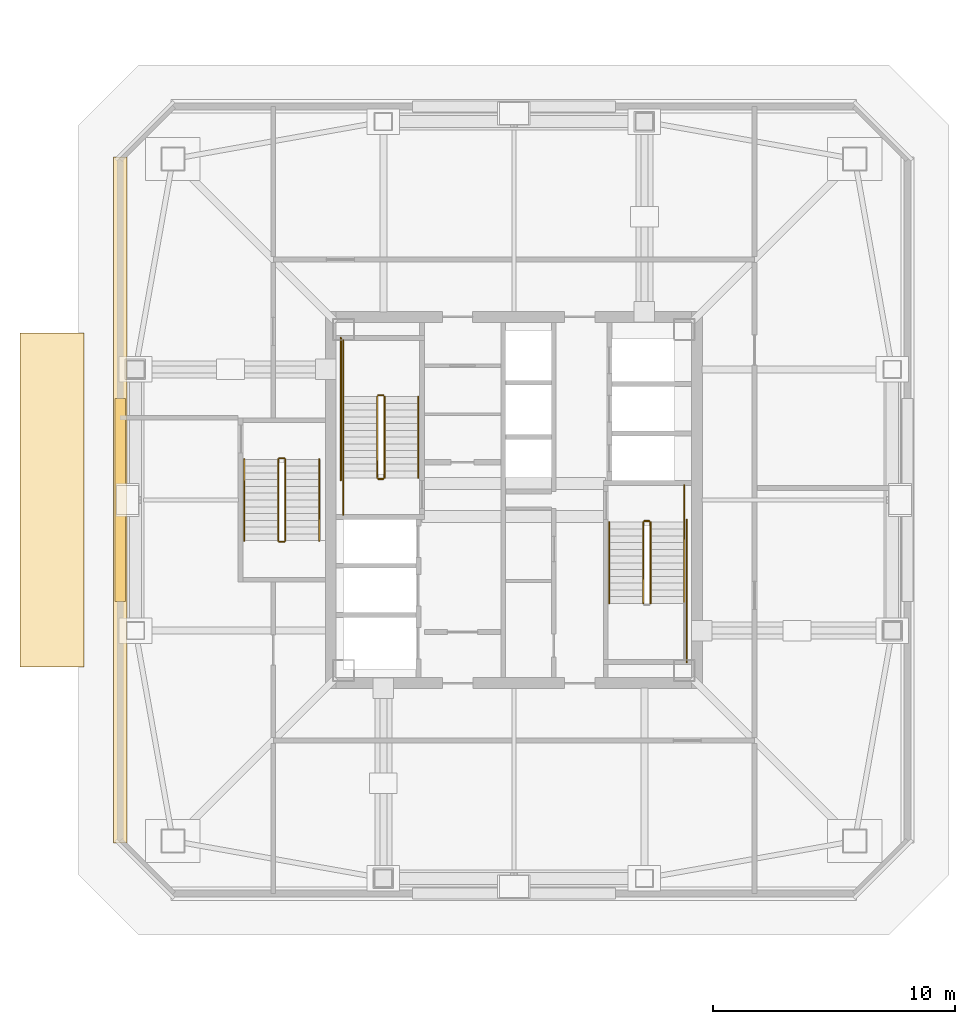
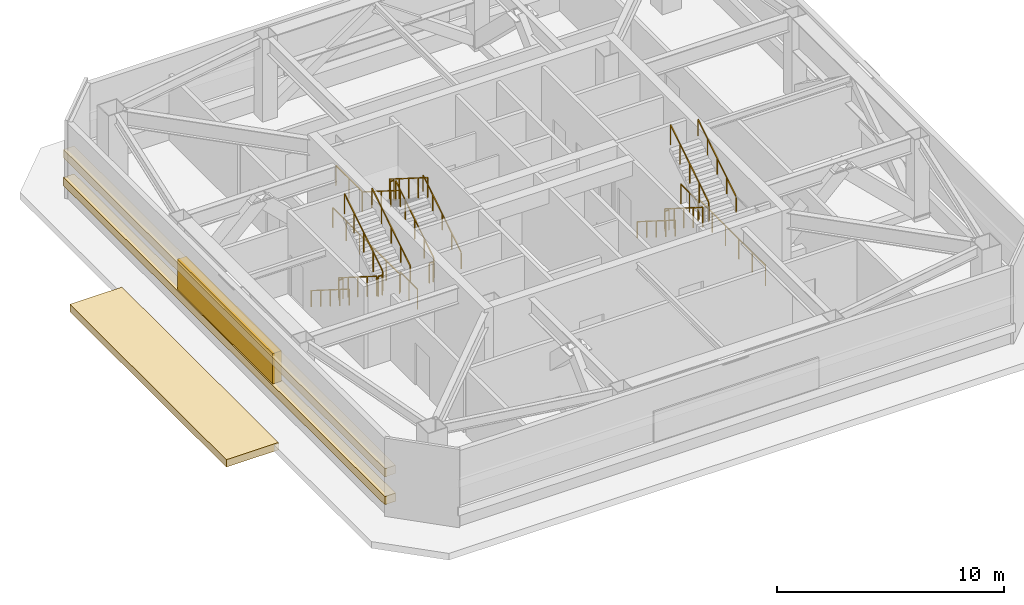
# One storey, part 11 of 15: 22 railings, 3 coverings, 1 shading device.
"""IFC4 building model written with IfcOpenShell, lengths in metres."""

from ifc_helpers import new_model, si_unit, direction, frame, origin, origin_2d, place, context, subcontext, project, spatial, rectangle, extrude, material, layer, layer_set, type_object, element, save


model = new_model("IFC4")

# Units and contexts
model_context = context("Model", 3, precision=1e-05, world=origin(), true_north=direction((0.0, 1.0)))
body_context = subcontext(model_context, "Body", "Model", "MODEL_VIEW")
ifc_project = project(units=[si_unit("LENGTHUNIT", "METRE"), si_unit("AREAUNIT", "SQUARE_METRE"), si_unit("VOLUMEUNIT", "CUBIC_METRE"), si_unit("PLANEANGLEUNIT", "RADIAN"), si_unit("MASSUNIT", "GRAM", prefix="KILO")], contexts=[model_context])

# Site, building, storey
site_placement = place(None, origin())
site = spatial("IfcSite", under=ifc_project, at=site_placement, CompositionType="ELEMENT")
building_placement = place(site_placement, origin())
building = spatial("IfcBuilding", under=site, at=building_placement, Name="Tashvorn Skyway Center", CompositionType="ELEMENT")
storey_placement = place(building_placement, frame((0.0, 0.0, 199.60009765625)))
storey = spatial("IfcBuildingStorey", under=building, at=storey_placement, Name="L54", CompositionType="ELEMENT", Elevation=199.60009765625)

# Coverings
ifc_material_1 = material(Name="Perforated ceramic-coated bronze aluminium solar screen", Category="aluminium")
ifc_layer_1 = layer(ifc_material_1, 0.85009765625)
ifc_layer_set_1 = layer_set([ifc_layer_1], Name="Perforated ceramic-coated bronze aluminium solar screen")
covering_type_1 = type_object("IfcCoveringType", Name="COV-SOLAR-BAND", PredefinedType="CLADDING", material=ifc_layer_set_1)
for number, where, z_axis, x_axis, name in (
    (1, (25.719970703125, 32.0, 1.030029296875), (0.0, 0.0, 1.0), (0.0, 1.0, 0.0), "Tower 1 L54 West Belt Acoustic Louvre Band 1"),
    (2, (25.719970703125, 32.0, 2.530029296875), (0.0, 0.0, 1.0), (0.0, 1.0, 0.0), "Tower 1 L54 West Belt Acoustic Louvre Band 2"),
):
    element("IfcCovering", number, at=place(storey_placement, frame(where, z_axis=z_axis, x_axis=x_axis)), inside=storey, type_object=covering_type_1, Name=name, PredefinedType="CLADDING", context=body_context, shape_type="SweptSolid", body=[
        extrude(rectangle(XDim=28.360107421875, YDim=0.550048828125, at=origin_2d()), origin(), (0.0, 0.0, 1.0), 0.43994140625),
    ])
ifc_material_2 = material(Name="Precast concrete C40/50", Category="concrete")
ifc_layer_2 = layer(ifc_material_2, 0.35009765625)
ifc_layer_set_2 = layer_set([ifc_layer_2], Name="Precast concrete C40/50")
covering_type_2 = type_object("IfcCoveringType", Name="COV-STONE-TRIM", PredefinedType="CLADDING", material=ifc_layer_set_2)
covering_placement = place(storey_placement, frame((22.89990234375, 32.0, 0.0), z_axis=(0.0, 0.0, 1.0), x_axis=(0.0, 1.0, 0.0)))
element("IfcCovering", 3, at=covering_placement, inside=storey, type_object=covering_type_2, Name="Tower 1 L53 Sky Garden Terracotta Canopy Hood", PredefinedType="CLADDING", context=body_context, shape_type="SweptSolid", body=[
    extrude(rectangle(XDim=13.800048828125, YDim=2.64990234375, at=origin_2d()), origin(), (0.0, 0.0, 1.0), 0.39990234375),
])

# Railings
ifc_material_3 = material(Name="Brushed stainless steel 316", Category="steel")
railing_type_1 = type_object("IfcRailingType", Name="RAIL-HAND-920", PredefinedType="HANDRAIL", material=ifc_material_3)
railing_1_placement = place(storey_placement, frame((38.050048828125, 32.919921875, 0.1767578125)))
element("IfcRailing", 4, at=railing_1_placement, inside=storey, type_object=railing_type_1, Name="L54 ST-T1-1 stair handrail 1", PredefinedType="HANDRAIL", context=body_context, shape_type="SweptSolid", body=[
    extrude(rectangle(XDim=0.048095703125, YDim=0.048095703125, at=origin_2d()), frame((0.0, 0.0, 0.8759765625), z_axis=(0.0, 0.845389635667, 0.534150132366), x_axis=(-1.0, 0.0, 0.0)), (0.0, 0.0, 1.0), 3.974609375),
    extrude(rectangle(XDim=0.0419921875, YDim=0.0419921875, at=origin_2d()), origin(), (0.0, 0.0, 1.0), 0.851806640625),
    extrude(rectangle(XDim=0.0419921875, YDim=0.0419921875, at=origin_2d()), frame((0.0, 0.840087890625, 0.53076171875)), (0.0, 0.0, 1.0), 0.851806640625),
    extrude(rectangle(XDim=0.0419921875, YDim=0.0419921875, at=origin_2d()), frame((0.0, 1.68017578125, 1.0615234375)), (0.0, 0.0, 1.0), 0.851806640625),
    extrude(rectangle(XDim=0.0419921875, YDim=0.0419921875, at=origin_2d()), frame((0.0, 2.52001953125, 1.59228515625)), (0.0, 0.0, 1.0), 0.851806640625),
    extrude(rectangle(XDim=0.0419921875, YDim=0.0419921875, at=origin_2d()), frame((0.0, 3.360107421875, 2.123046875)), (0.0, 0.0, 1.0), 0.851806640625),
])
for number, where, name in (
    (5, (34.949951171875, 36.280029296875, 2.476806640625), "L54 ST-T1-1 stair handrail 2"),
    (6, (45.949951171875, 31.080078125, 0.1767578125), "L54 ST-T1-2 stair handrail 1"),
):
    element("IfcRailing", number, at=place(storey_placement, frame(where)), inside=storey, type_object=railing_type_1, Name=name, PredefinedType="HANDRAIL", context=body_context, shape_type="SweptSolid", body=[
        extrude(rectangle(XDim=0.048095703125, YDim=0.048095703125, at=origin_2d()), frame((0.0, 0.0, 0.8759765625), z_axis=(0.0, -0.845389635667, 0.534150132366), x_axis=(1.0, 0.0, 0.0)), (0.0, 0.0, 1.0), 3.974609375),
        extrude(rectangle(XDim=0.0419921875, YDim=0.0419921875, at=origin_2d()), origin(), (0.0, 0.0, 1.0), 0.851806640625),
        extrude(rectangle(XDim=0.0419921875, YDim=0.0419921875, at=origin_2d()), frame((0.0, -0.840087890625, 0.53076171875)), (0.0, 0.0, 1.0), 0.851806640625),
        extrude(rectangle(XDim=0.0419921875, YDim=0.0419921875, at=origin_2d()), frame((0.0, -1.68017578125, 1.0615234375)), (0.0, 0.0, 1.0), 0.851806640625),
        extrude(rectangle(XDim=0.0419921875, YDim=0.0419921875, at=origin_2d()), frame((0.0, -2.52001953125, 1.59228515625)), (0.0, 0.0, 1.0), 0.851806640625),
        extrude(rectangle(XDim=0.0419921875, YDim=0.0419921875, at=origin_2d()), frame((0.0, -3.360107421875, 2.123046875)), (0.0, 0.0, 1.0), 0.851806640625),
    ])
railing_2_placement = place(storey_placement, frame((49.050048828125, 27.719970703125, 2.476806640625)))
element("IfcRailing", 7, at=railing_2_placement, inside=storey, type_object=railing_type_1, Name="L54 ST-T1-2 stair handrail 2", PredefinedType="HANDRAIL", context=body_context, shape_type="SweptSolid", body=[
    extrude(rectangle(XDim=0.048095703125, YDim=0.048095703125, at=origin_2d()), frame((0.0, 0.0, 0.8759765625), z_axis=(0.0, 0.845389635667, 0.534150132366), x_axis=(-1.0, 0.0, 0.0)), (0.0, 0.0, 1.0), 3.974609375),
    extrude(rectangle(XDim=0.0419921875, YDim=0.0419921875, at=origin_2d()), origin(), (0.0, 0.0, 1.0), 0.851806640625),
    extrude(rectangle(XDim=0.0419921875, YDim=0.0419921875, at=origin_2d()), frame((0.0, 0.840087890625, 0.53076171875)), (0.0, 0.0, 1.0), 0.851806640625),
    extrude(rectangle(XDim=0.0419921875, YDim=0.0419921875, at=origin_2d()), frame((0.0, 1.68017578125, 1.0615234375)), (0.0, 0.0, 1.0), 0.851806640625),
    extrude(rectangle(XDim=0.0419921875, YDim=0.0419921875, at=origin_2d()), frame((0.0, 2.52001953125, 1.59228515625)), (0.0, 0.0, 1.0), 0.851806640625),
    extrude(rectangle(XDim=0.0419921875, YDim=0.0419921875, at=origin_2d()), frame((0.0, 3.360107421875, 2.123046875)), (0.0, 0.0, 1.0), 0.851806640625),
])
railing_3_placement = place(storey_placement, frame((30.85009765625, 33.679931640625, 0.1767578125)))
element("IfcRailing", 8, at=railing_3_placement, inside=storey, type_object=railing_type_1, Name="L54 ST-T1-3 stair handrail 1", PredefinedType="HANDRAIL", context=body_context, shape_type="SweptSolid", body=[
    extrude(rectangle(XDim=0.048095703125, YDim=0.048095703125, at=origin_2d()), frame((0.0, 0.0, 0.8759765625), z_axis=(0.0, -0.845372108799, 0.534177870812), x_axis=(1.0, 0.0, 0.0)), (0.0, 0.0, 1.0), 3.974365234375),
    extrude(rectangle(XDim=0.0419921875, YDim=0.0419921875, at=origin_2d()), origin(), (0.0, 0.0, 1.0), 0.851806640625),
    extrude(rectangle(XDim=0.0419921875, YDim=0.0419921875, at=origin_2d()), frame((0.0, -0.83984375, 0.53076171875)), (0.0, 0.0, 1.0), 0.851806640625),
    extrude(rectangle(XDim=0.0419921875, YDim=0.0419921875, at=origin_2d()), frame((0.0, -1.679931640625, 1.0615234375)), (0.0, 0.0, 1.0), 0.851806640625),
    extrude(rectangle(XDim=0.0419921875, YDim=0.0419921875, at=origin_2d()), frame((0.0, -2.52001953125, 1.59228515625)), (0.0, 0.0, 1.0), 0.851806640625),
    extrude(rectangle(XDim=0.0419921875, YDim=0.0419921875, at=origin_2d()), frame((0.0, -3.35986328125, 2.123046875)), (0.0, 0.0, 1.0), 0.851806640625),
])
railing_4_placement = place(storey_placement, frame((33.949951171875, 30.320068359375, 2.476806640625)))
element("IfcRailing", 9, at=railing_4_placement, inside=storey, type_object=railing_type_1, Name="L54 ST-T1-3 stair handrail 2", PredefinedType="HANDRAIL", context=body_context, shape_type="SweptSolid", body=[
    extrude(rectangle(XDim=0.048095703125, YDim=0.048095703125, at=origin_2d()), frame((0.0, 0.0, 0.8759765625), z_axis=(0.0, 0.845372108799, 0.534177870812), x_axis=(-1.0, 0.0, 0.0)), (0.0, 0.0, 1.0), 3.974365234375),
    extrude(rectangle(XDim=0.0419921875, YDim=0.0419921875, at=origin_2d()), origin(), (0.0, 0.0, 1.0), 0.851806640625),
    extrude(rectangle(XDim=0.0419921875, YDim=0.0419921875, at=origin_2d()), frame((0.0, 0.83984375, 0.53076171875)), (0.0, 0.0, 1.0), 0.851806640625),
    extrude(rectangle(XDim=0.0419921875, YDim=0.0419921875, at=origin_2d()), frame((0.0, 1.679931640625, 1.0615234375)), (0.0, 0.0, 1.0), 0.851806640625),
    extrude(rectangle(XDim=0.0419921875, YDim=0.0419921875, at=origin_2d()), frame((0.0, 2.52001953125, 1.59228515625)), (0.0, 0.0, 1.0), 0.851806640625),
    extrude(rectangle(XDim=0.0419921875, YDim=0.0419921875, at=origin_2d()), frame((0.0, 3.35986328125, 2.123046875)), (0.0, 0.0, 1.0), 0.851806640625),
])
ifc_material_4 = material(Name="Painted galvanized steel S355", Category="steel")
railing_type_2 = type_object("IfcRailingType", Name="RAIL-STGUARD-1100", PredefinedType="GUARDRAIL", material=ifc_material_4)
railing_5_placement = place(storey_placement, frame((36.64990234375, 32.919921875, 0.1767578125)))
element("IfcRailing", 10, at=railing_5_placement, inside=storey, type_object=railing_type_2, Name="L54 ST-T1-1 stair guard 1", PredefinedType="GUARDRAIL", context=body_context, shape_type="SweptSolid", body=[
    extrude(rectangle(XDim=0.048095703125, YDim=0.048095703125, at=origin_2d()), frame((0.0, 0.0, 1.076171875), z_axis=(0.0, 0.845389635667, 0.534150132366), x_axis=(-1.0, 0.0, 0.0)), (0.0, 0.0, 1.0), 3.974609375),
    extrude(rectangle(XDim=0.0419921875, YDim=0.0419921875, at=origin_2d()), origin(), (0.0, 0.0, 1.0), 1.052001953125),
    extrude(rectangle(XDim=0.0419921875, YDim=0.0419921875, at=origin_2d()), frame((0.0, 0.840087890625, 0.53076171875)), (0.0, 0.0, 1.0), 1.052001953125),
    extrude(rectangle(XDim=0.0419921875, YDim=0.0419921875, at=origin_2d()), frame((0.0, 1.68017578125, 1.0615234375)), (0.0, 0.0, 1.0), 1.052001953125),
    extrude(rectangle(XDim=0.0419921875, YDim=0.0419921875, at=origin_2d()), frame((0.0, 2.52001953125, 1.59228515625)), (0.0, 0.0, 1.0), 1.052001953125),
    extrude(rectangle(XDim=0.0419921875, YDim=0.0419921875, at=origin_2d()), frame((0.0, 3.360107421875, 2.123046875)), (0.0, 0.0, 1.0), 1.052001953125),
])
railing_6_placement = place(storey_placement, frame((36.60009765625, 36.330078125, 2.2998046875)))
element("IfcRailing", 11, at=railing_6_placement, inside=storey, type_object=railing_type_2, Name="L54 ST-T1-1 stair guard 2", PredefinedType="GUARDRAIL", context=body_context, shape_type="SweptSolid", body=[
    extrude(rectangle(XDim=0.048095703125, YDim=0.048095703125, at=origin_2d()), frame((0.0, 0.0, 1.076171875), z_axis=(-1.0, 0.0, 0.0), x_axis=(0.0, -1.0, 0.0)), (0.0, 0.0, 1.0), 0.2001953125),
    extrude(rectangle(XDim=0.0419921875, YDim=0.0419921875, at=origin_2d()), origin(), (0.0, 0.0, 1.0), 1.052001953125),
    extrude(rectangle(XDim=0.0419921875, YDim=0.0419921875, at=origin_2d()), frame((-0.2001953125, 0.0, 0.0)), (0.0, 0.0, 1.0), 1.052001953125),
])
railing_7_placement = place(storey_placement, frame((34.949951171875, 36.280029296875, 2.2998046875)))
element("IfcRailing", 12, at=railing_7_placement, inside=storey, type_object=railing_type_2, Name="L54 ST-T1-1 stair guard 3", PredefinedType="GUARDRAIL", context=body_context, shape_type="SweptSolid", body=[
    extrude(rectangle(XDim=0.048095703125, YDim=0.048095703125, at=origin_2d()), frame((0.0, 0.0, 1.076171875), z_axis=(0.0, 1.0, 0.0), x_axis=(-1.0, 0.0, 0.0)), (0.0, 0.0, 1.0), 2.320068359375),
    extrude(rectangle(XDim=0.0419921875, YDim=0.0419921875, at=origin_2d()), origin(), (0.0, 0.0, 1.0), 1.052001953125),
    extrude(rectangle(XDim=0.0419921875, YDim=0.0419921875, at=origin_2d()), frame((0.0, 1.16015625, 0.0)), (0.0, 0.0, 1.0), 1.052001953125),
    extrude(rectangle(XDim=0.0419921875, YDim=0.0419921875, at=origin_2d()), frame((0.0, 2.320068359375, 0.0)), (0.0, 0.0, 1.0), 1.052001953125),
])
railing_8_placement = place(storey_placement, frame((36.35009765625, 36.280029296875, 2.476806640625)))
element("IfcRailing", 13, at=railing_8_placement, inside=storey, type_object=railing_type_2, Name="L54 ST-T1-1 stair guard 4", PredefinedType="GUARDRAIL", context=body_context, shape_type="SweptSolid", body=[
    extrude(rectangle(XDim=0.048095703125, YDim=0.048095703125, at=origin_2d()), frame((0.0, 0.0, 1.076171875), z_axis=(0.0, -0.845389635667, 0.534150132366), x_axis=(1.0, 0.0, 0.0)), (0.0, 0.0, 1.0), 3.974609375),
    extrude(rectangle(XDim=0.0419921875, YDim=0.0419921875, at=origin_2d()), origin(), (0.0, 0.0, 1.0), 1.052001953125),
    extrude(rectangle(XDim=0.0419921875, YDim=0.0419921875, at=origin_2d()), frame((0.0, -0.840087890625, 0.53076171875)), (0.0, 0.0, 1.0), 1.052001953125),
    extrude(rectangle(XDim=0.0419921875, YDim=0.0419921875, at=origin_2d()), frame((0.0, -1.68017578125, 1.0615234375)), (0.0, 0.0, 1.0), 1.052001953125),
    extrude(rectangle(XDim=0.0419921875, YDim=0.0419921875, at=origin_2d()), frame((0.0, -2.52001953125, 1.59228515625)), (0.0, 0.0, 1.0), 1.052001953125),
    extrude(rectangle(XDim=0.0419921875, YDim=0.0419921875, at=origin_2d()), frame((0.0, -3.360107421875, 2.123046875)), (0.0, 0.0, 1.0), 1.052001953125),
])
railing_9_placement = place(storey_placement, frame((36.60009765625, 32.8701171875, 0.0)))
element("IfcRailing", 14, at=railing_9_placement, inside=storey, type_object=railing_type_2, Name="L54 ST-T1-1 stair guard 5", PredefinedType="GUARDRAIL", context=body_context, shape_type="SweptSolid", body=[
    extrude(rectangle(XDim=0.048095703125, YDim=0.048095703125, at=origin_2d()), frame((0.0, 0.0, 1.076171875), z_axis=(-1.0, 0.0, 0.0), x_axis=(0.0, -1.0, 0.0)), (0.0, 0.0, 1.0), 0.2001953125),
    extrude(rectangle(XDim=0.0419921875, YDim=0.0419921875, at=origin_2d()), origin(), (0.0, 0.0, 1.0), 1.052001953125),
    extrude(rectangle(XDim=0.0419921875, YDim=0.0419921875, at=origin_2d()), frame((-0.2001953125, 0.0, 0.0)), (0.0, 0.0, 1.0), 1.052001953125),
])
railing_10_placement = place(storey_placement, frame((34.949951171875, 31.39990234375, 0.0)))
element("IfcRailing", 15, at=railing_10_placement, inside=storey, type_object=railing_type_2, Name="L54 ST-T1-1 stair guard 6", PredefinedType="GUARDRAIL", context=body_context, shape_type="SweptSolid", body=[
    extrude(rectangle(XDim=0.048095703125, YDim=0.048095703125, at=origin_2d()), frame((0.0, 0.0, 1.076171875), z_axis=(0.0, 1.0, 0.0), x_axis=(-1.0, 0.0, 0.0)), (0.0, 0.0, 1.0), 1.52001953125),
    extrude(rectangle(XDim=0.0419921875, YDim=0.0419921875, at=origin_2d()), origin(), (0.0, 0.0, 1.0), 1.052001953125),
    extrude(rectangle(XDim=0.0419921875, YDim=0.0419921875, at=origin_2d()), frame((0.0, 0.760009765625, 0.0)), (0.0, 0.0, 1.0), 1.052001953125),
    extrude(rectangle(XDim=0.0419921875, YDim=0.0419921875, at=origin_2d()), frame((0.0, 1.52001953125, 0.0)), (0.0, 0.0, 1.0), 1.052001953125),
])
railing_11_placement = place(storey_placement, frame((34.85009765625, 32.820068359375, 0.0)))
element("IfcRailing", 16, at=railing_11_placement, inside=storey, type_object=railing_type_2, Name="L54 ST-T1-1 stair guard 7", PredefinedType="GUARDRAIL", context=body_context, shape_type="SweptSolid", body=[
    extrude(rectangle(XDim=0.048095703125, YDim=0.048095703125, at=origin_2d()), frame((0.0, 0.0, 1.076171875), z_axis=(0.0, 1.0, 0.0), x_axis=(-1.0, 0.0, 0.0)), (0.0, 0.0, 1.0), 5.8798828125),
    extrude(rectangle(XDim=0.0419921875, YDim=0.0419921875, at=origin_2d()), origin(), (0.0, 0.0, 1.0), 1.052001953125),
    extrude(rectangle(XDim=0.0419921875, YDim=0.0419921875, at=origin_2d()), frame((0.0, 1.176025390625, 0.0)), (0.0, 0.0, 1.0), 1.052001953125),
    extrude(rectangle(XDim=0.0419921875, YDim=0.0419921875, at=origin_2d()), frame((0.0, 2.35205078125, 0.0)), (0.0, 0.0, 1.0), 1.052001953125),
    extrude(rectangle(XDim=0.0419921875, YDim=0.0419921875, at=origin_2d()), frame((0.0, 3.52783203125, 0.0)), (0.0, 0.0, 1.0), 1.052001953125),
    extrude(rectangle(XDim=0.0419921875, YDim=0.0419921875, at=origin_2d()), frame((0.0, 4.703857421875, 0.0)), (0.0, 0.0, 1.0), 1.052001953125),
    extrude(rectangle(XDim=0.0419921875, YDim=0.0419921875, at=origin_2d()), frame((0.0, 5.8798828125, 0.0)), (0.0, 0.0, 1.0), 1.052001953125),
])
railing_12_placement = place(storey_placement, frame((47.35009765625, 31.080078125, 0.1767578125)))
element("IfcRailing", 17, at=railing_12_placement, inside=storey, type_object=railing_type_2, Name="L54 ST-T1-2 stair guard 1", PredefinedType="GUARDRAIL", context=body_context, shape_type="SweptSolid", body=[
    extrude(rectangle(XDim=0.048095703125, YDim=0.048095703125, at=origin_2d()), frame((0.0, 0.0, 1.076171875), z_axis=(0.0, -0.845389635667, 0.534150132366), x_axis=(1.0, 0.0, 0.0)), (0.0, 0.0, 1.0), 3.974609375),
    extrude(rectangle(XDim=0.0419921875, YDim=0.0419921875, at=origin_2d()), origin(), (0.0, 0.0, 1.0), 1.052001953125),
    extrude(rectangle(XDim=0.0419921875, YDim=0.0419921875, at=origin_2d()), frame((0.0, -0.840087890625, 0.53076171875)), (0.0, 0.0, 1.0), 1.052001953125),
    extrude(rectangle(XDim=0.0419921875, YDim=0.0419921875, at=origin_2d()), frame((0.0, -1.68017578125, 1.0615234375)), (0.0, 0.0, 1.0), 1.052001953125),
    extrude(rectangle(XDim=0.0419921875, YDim=0.0419921875, at=origin_2d()), frame((0.0, -2.52001953125, 1.59228515625)), (0.0, 0.0, 1.0), 1.052001953125),
    extrude(rectangle(XDim=0.0419921875, YDim=0.0419921875, at=origin_2d()), frame((0.0, -3.360107421875, 2.123046875)), (0.0, 0.0, 1.0), 1.052001953125),
])
railing_13_placement = place(storey_placement, frame((47.64990234375, 27.719970703125, 2.476806640625)))
element("IfcRailing", 18, at=railing_13_placement, inside=storey, type_object=railing_type_2, Name="L54 ST-T1-2 stair guard 4", PredefinedType="GUARDRAIL", context=body_context, shape_type="SweptSolid", body=[
    extrude(rectangle(XDim=0.048095703125, YDim=0.048095703125, at=origin_2d()), frame((0.0, 0.0, 1.076171875), z_axis=(0.0, 0.845389635667, 0.534150132366), x_axis=(-1.0, 0.0, 0.0)), (0.0, 0.0, 1.0), 3.974609375),
    extrude(rectangle(XDim=0.0419921875, YDim=0.0419921875, at=origin_2d()), origin(), (0.0, 0.0, 1.0), 1.052001953125),
    extrude(rectangle(XDim=0.0419921875, YDim=0.0419921875, at=origin_2d()), frame((0.0, 0.840087890625, 0.53076171875)), (0.0, 0.0, 1.0), 1.052001953125),
    extrude(rectangle(XDim=0.0419921875, YDim=0.0419921875, at=origin_2d()), frame((0.0, 1.68017578125, 1.0615234375)), (0.0, 0.0, 1.0), 1.052001953125),
    extrude(rectangle(XDim=0.0419921875, YDim=0.0419921875, at=origin_2d()), frame((0.0, 2.52001953125, 1.59228515625)), (0.0, 0.0, 1.0), 1.052001953125),
    extrude(rectangle(XDim=0.0419921875, YDim=0.0419921875, at=origin_2d()), frame((0.0, 3.360107421875, 2.123046875)), (0.0, 0.0, 1.0), 1.052001953125),
])
railing_14_placement = place(storey_placement, frame((47.39990234375, 31.1298828125, 0.0)))
element("IfcRailing", 19, at=railing_14_placement, inside=storey, type_object=railing_type_2, Name="L54 ST-T1-2 stair guard 5", PredefinedType="GUARDRAIL", context=body_context, shape_type="SweptSolid", body=[
    extrude(rectangle(XDim=0.048095703125, YDim=0.048095703125, at=origin_2d()), frame((0.0, 0.0, 1.076171875), z_axis=(1.0, 0.0, 0.0), x_axis=(0.0, 1.0, 0.0)), (0.0, 0.0, 1.0), 0.2001953125),
    extrude(rectangle(XDim=0.0419921875, YDim=0.0419921875, at=origin_2d()), origin(), (0.0, 0.0, 1.0), 1.052001953125),
    extrude(rectangle(XDim=0.0419921875, YDim=0.0419921875, at=origin_2d()), frame((0.2001953125, 0.0, 0.0)), (0.0, 0.0, 1.0), 1.052001953125),
])
railing_15_placement = place(storey_placement, frame((49.050048828125, 32.60009765625, 0.0)))
element("IfcRailing", 20, at=railing_15_placement, inside=storey, type_object=railing_type_2, Name="L54 ST-T1-2 stair guard 6", PredefinedType="GUARDRAIL", context=body_context, shape_type="SweptSolid", body=[
    extrude(rectangle(XDim=0.048095703125, YDim=0.048095703125, at=origin_2d()), frame((0.0, 0.0, 1.076171875), z_axis=(0.0, -1.0, 0.0), x_axis=(1.0, 0.0, 0.0)), (0.0, 0.0, 1.0), 1.52001953125),
    extrude(rectangle(XDim=0.0419921875, YDim=0.0419921875, at=origin_2d()), origin(), (0.0, 0.0, 1.0), 1.052001953125),
    extrude(rectangle(XDim=0.0419921875, YDim=0.0419921875, at=origin_2d()), frame((0.0, -0.760009765625, 0.0)), (0.0, 0.0, 1.0), 1.052001953125),
    extrude(rectangle(XDim=0.0419921875, YDim=0.0419921875, at=origin_2d()), frame((0.0, -1.52001953125, 0.0)), (0.0, 0.0, 1.0), 1.052001953125),
])
railing_16_placement = place(storey_placement, frame((49.14990234375, 31.179931640625, 0.0)))
element("IfcRailing", 21, at=railing_16_placement, inside=storey, type_object=railing_type_2, Name="L54 ST-T1-2 stair guard 7", PredefinedType="GUARDRAIL", context=body_context, shape_type="SweptSolid", body=[
    extrude(rectangle(XDim=0.048095703125, YDim=0.048095703125, at=origin_2d()), frame((0.0, 0.0, 1.076171875), z_axis=(0.0, -1.0, 0.0), x_axis=(1.0, 0.0, 0.0)), (0.0, 0.0, 1.0), 5.8798828125),
    extrude(rectangle(XDim=0.0419921875, YDim=0.0419921875, at=origin_2d()), origin(), (0.0, 0.0, 1.0), 1.052001953125),
    extrude(rectangle(XDim=0.0419921875, YDim=0.0419921875, at=origin_2d()), frame((0.0, -1.176025390625, 0.0)), (0.0, 0.0, 1.0), 1.052001953125),
    extrude(rectangle(XDim=0.0419921875, YDim=0.0419921875, at=origin_2d()), frame((0.0, -2.35205078125, 0.0)), (0.0, 0.0, 1.0), 1.052001953125),
    extrude(rectangle(XDim=0.0419921875, YDim=0.0419921875, at=origin_2d()), frame((0.0, -3.52783203125, 0.0)), (0.0, 0.0, 1.0), 1.052001953125),
    extrude(rectangle(XDim=0.0419921875, YDim=0.0419921875, at=origin_2d()), frame((0.0, -4.703857421875, 0.0)), (0.0, 0.0, 1.0), 1.052001953125),
    extrude(rectangle(XDim=0.0419921875, YDim=0.0419921875, at=origin_2d()), frame((0.0, -5.8798828125, 0.0)), (0.0, 0.0, 1.0), 1.052001953125),
])
railing_17_placement = place(storey_placement, frame((32.25, 33.679931640625, 0.1767578125)))
element("IfcRailing", 22, at=railing_17_placement, inside=storey, type_object=railing_type_2, Name="L54 ST-T1-3 stair guard 1", PredefinedType="GUARDRAIL", context=body_context, shape_type="SweptSolid", body=[
    extrude(rectangle(XDim=0.048095703125, YDim=0.048095703125, at=origin_2d()), frame((0.0, 0.0, 1.076171875), z_axis=(0.0, -0.845372108799, 0.534177870812), x_axis=(1.0, 0.0, 0.0)), (0.0, 0.0, 1.0), 3.974365234375),
    extrude(rectangle(XDim=0.0419921875, YDim=0.0419921875, at=origin_2d()), origin(), (0.0, 0.0, 1.0), 1.052001953125),
    extrude(rectangle(XDim=0.0419921875, YDim=0.0419921875, at=origin_2d()), frame((0.0, -0.83984375, 0.53076171875)), (0.0, 0.0, 1.0), 1.052001953125),
    extrude(rectangle(XDim=0.0419921875, YDim=0.0419921875, at=origin_2d()), frame((0.0, -1.679931640625, 1.0615234375)), (0.0, 0.0, 1.0), 1.052001953125),
    extrude(rectangle(XDim=0.0419921875, YDim=0.0419921875, at=origin_2d()), frame((0.0, -2.52001953125, 1.59228515625)), (0.0, 0.0, 1.0), 1.052001953125),
    extrude(rectangle(XDim=0.0419921875, YDim=0.0419921875, at=origin_2d()), frame((0.0, -3.35986328125, 2.123046875)), (0.0, 0.0, 1.0), 1.052001953125),
])
railing_18_placement = place(storey_placement, frame((32.300048828125, 30.27001953125, 2.2998046875)))
element("IfcRailing", 23, at=railing_18_placement, inside=storey, type_object=railing_type_2, Name="L54 ST-T1-3 stair guard 2", PredefinedType="GUARDRAIL", context=body_context, shape_type="SweptSolid", body=[
    extrude(rectangle(XDim=0.048095703125, YDim=0.048095703125, at=origin_2d()), frame((0.0, 0.0, 1.076171875), z_axis=(1.0, 0.0, 0.0), x_axis=(0.0, 1.0, 0.0)), (0.0, 0.0, 1.0), 0.199951171875),
    extrude(rectangle(XDim=0.0419921875, YDim=0.0419921875, at=origin_2d()), origin(), (0.0, 0.0, 1.0), 1.052001953125),
    extrude(rectangle(XDim=0.0419921875, YDim=0.0419921875, at=origin_2d()), frame((0.199951171875, 0.0, 0.0)), (0.0, 0.0, 1.0), 1.052001953125),
])
railing_19_placement = place(storey_placement, frame((32.550048828125, 30.320068359375, 2.476806640625)))
element("IfcRailing", 24, at=railing_19_placement, inside=storey, type_object=railing_type_2, Name="L54 ST-T1-3 stair guard 3", PredefinedType="GUARDRAIL", context=body_context, shape_type="SweptSolid", body=[
    extrude(rectangle(XDim=0.048095703125, YDim=0.048095703125, at=origin_2d()), frame((0.0, 0.0, 1.076171875), z_axis=(0.0, 0.845372108799, 0.534177870812), x_axis=(-1.0, 0.0, 0.0)), (0.0, 0.0, 1.0), 3.974365234375),
    extrude(rectangle(XDim=0.0419921875, YDim=0.0419921875, at=origin_2d()), origin(), (0.0, 0.0, 1.0), 1.052001953125),
    extrude(rectangle(XDim=0.0419921875, YDim=0.0419921875, at=origin_2d()), frame((0.0, 0.83984375, 0.53076171875)), (0.0, 0.0, 1.0), 1.052001953125),
    extrude(rectangle(XDim=0.0419921875, YDim=0.0419921875, at=origin_2d()), frame((0.0, 1.679931640625, 1.0615234375)), (0.0, 0.0, 1.0), 1.052001953125),
    extrude(rectangle(XDim=0.0419921875, YDim=0.0419921875, at=origin_2d()), frame((0.0, 2.52001953125, 1.59228515625)), (0.0, 0.0, 1.0), 1.052001953125),
    extrude(rectangle(XDim=0.0419921875, YDim=0.0419921875, at=origin_2d()), frame((0.0, 3.35986328125, 2.123046875)), (0.0, 0.0, 1.0), 1.052001953125),
])
railing_20_placement = place(storey_placement, frame((32.300048828125, 33.72998046875, 0.0)))
element("IfcRailing", 25, at=railing_20_placement, inside=storey, type_object=railing_type_2, Name="L54 ST-T1-3 stair guard 4", PredefinedType="GUARDRAIL", context=body_context, shape_type="SweptSolid", body=[
    extrude(rectangle(XDim=0.048095703125, YDim=0.048095703125, at=origin_2d()), frame((0.0, 0.0, 1.076171875), z_axis=(1.0, 0.0, 0.0), x_axis=(0.0, 1.0, 0.0)), (0.0, 0.0, 1.0), 0.199951171875),
    extrude(rectangle(XDim=0.0419921875, YDim=0.0419921875, at=origin_2d()), origin(), (0.0, 0.0, 1.0), 1.052001953125),
    extrude(rectangle(XDim=0.0419921875, YDim=0.0419921875, at=origin_2d()), frame((0.199951171875, 0.0, 0.0)), (0.0, 0.0, 1.0), 1.052001953125),
])

# Shading device
ifc_material_5 = material(Name="Thermally broken bronze-anodized aluminium 6063-T6", Category="aluminium")
ifc_layer_3 = layer(ifc_material_5, 0.1201171875)
ifc_layer_set_3 = layer_set([ifc_layer_3], Name="Thermally broken bronze-anodized aluminium 6063-T6")
shading_device_type = type_object("IfcShadingDeviceType", Name="SHD-LOUVRE-450", PredefinedType="JALOUSIE", material=ifc_layer_set_3)
shading_device_placement = place(storey_placement, frame((25.719970703125, 32.0, 1.2998046875), z_axis=(0.0, 0.0, 1.0), x_axis=(0.0, 1.0, 0.0)))
element("IfcShadingDevice", 26, at=shading_device_placement, inside=storey, type_object=shading_device_type, Name="Tower 1 L54 West Mechanical Intake Louvre", PredefinedType="JALOUSIE", context=body_context, shape_type="SweptSolid", body=[
    extrude(rectangle(XDim=8.39990234375, YDim=0.449951171875, at=origin_2d()), origin(), (0.0, 0.0, 1.0), 1.800048828125),
])

save(model, "model.ifc")
